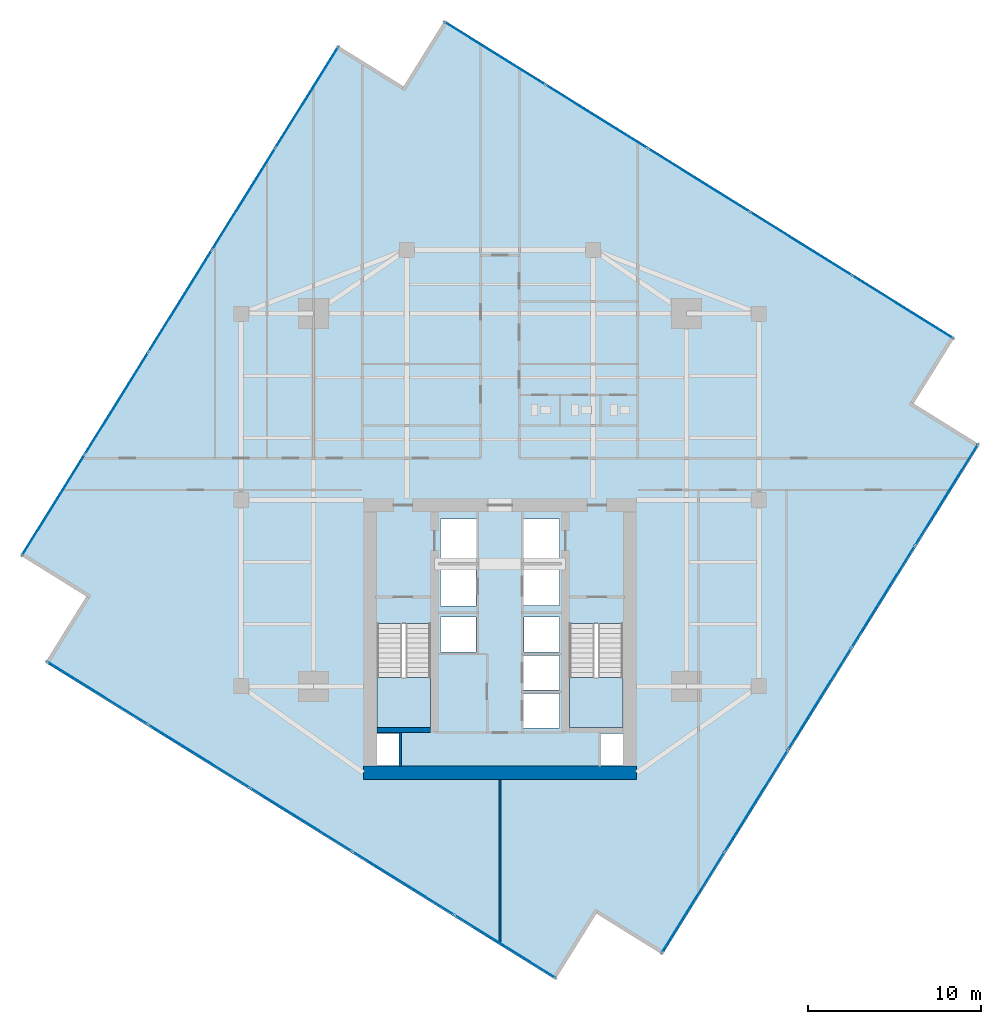
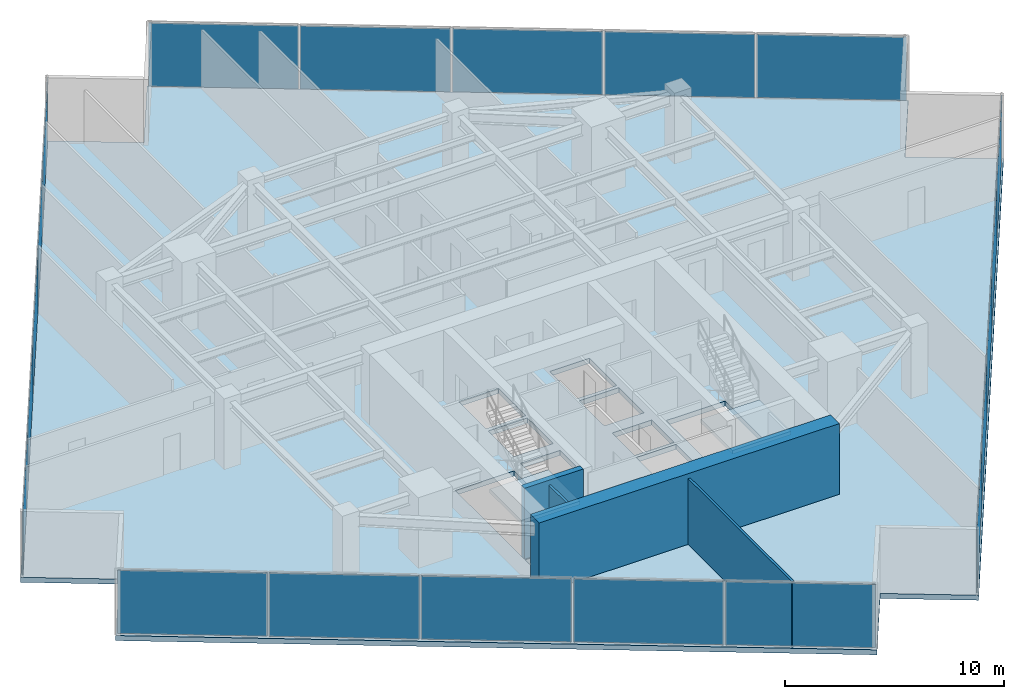
# One storey, part 20 of 25: 20 plates, 4 walls, 3 slabs, 6 elements without a shape of their own.
"""IFC4 building model written with IfcOpenShell, lengths in metres."""

from ifc_helpers import new_model, si_unit, direction, frame, frame_2d, origin, origin_2d, place, context, subcontext, project, spatial, polyline, rectangle, outline, extrude, source, transform, mapped, material, layer, layer_set, type_object, type_shapes, element, aggregate, save


model = new_model("IFC4")

# Units and contexts
model_context = context("Model", 3, precision=1e-05, world=origin(), true_north=direction((0.0, 1.0)))
body_context = subcontext(model_context, "Body", "Model", "MODEL_VIEW")
ifc_project = project(units=[si_unit("LENGTHUNIT", "METRE"), si_unit("AREAUNIT", "SQUARE_METRE"), si_unit("VOLUMEUNIT", "CUBIC_METRE"), si_unit("PLANEANGLEUNIT", "RADIAN"), si_unit("MASSUNIT", "GRAM", prefix="KILO")], contexts=[model_context])

# Site, building, storey
site_placement = place(None, origin())
site = spatial("IfcSite", under=ifc_project, at=site_placement, CompositionType="ELEMENT")
building_placement = place(site_placement, origin())
building = spatial("IfcBuilding", under=site, at=building_placement, Name="Krantzveldt Concourse Tower", CompositionType="ELEMENT")
storey_placement = place(building_placement, frame((0.0, 0.0, 177.800048828125)))
storey = spatial("IfcBuildingStorey", under=building, at=storey_placement, Name="L43", CompositionType="ELEMENT", Elevation=177.800048828125)

# Stair, slab
ifc_material_1 = material(Name="Precast concrete C40/50", Category="concrete")
stair_type = type_object("IfcStairType", Name="STR-CORE-DOGLEG", PredefinedType="HALF_TURN_STAIR", material=ifc_material_1)
stair_1_placement = place(storey_placement, origin())
stair_1 = element("IfcStair", 1, at=stair_1_placement, inside=storey, type_object=stair_type, Name="L43 Protected Escape Stair ST-1", PredefinedType="HALF_TURN_STAIR")
ifc_layer_1 = layer(ifc_material_1, 0.199951171875, Name="Precast concrete C40/50", Category="concrete")
ifc_layer_set_1 = layer_set([ifc_layer_1], Name="Precast concrete C40/50 (SL-LANDING-200)")
slab_type_1 = type_object("IfcSlabType", Name="SL-LANDING-200", PredefinedType="LANDING", material=ifc_layer_set_1)
slab_1_placement = place(storey_placement, frame((0.0, 0.0, 1.77490234375)))
slab_1 = element("IfcSlab", 2, at=slab_1_placement, type_object=slab_type_1, Name="ST-1 landing 1", PredefinedType="LANDING", context=body_context, shape_type="SweptSolid", body=[
    extrude(outline(polyline([(28.8798828125, 16.4150390625), (28.8798828125, 13.52001953125), (31.97998046875, 13.52001953125), (31.97998046875, 16.4150390625), (28.8798828125, 16.4150390625)])), origin(), (0.0, 0.0, 1.0), 0.199951171875),
])
aggregate(stair_1, [slab_1])

stair_2_placement = place(storey_placement, origin())
stair_2 = element("IfcStair", 3, at=stair_2_placement, inside=storey, type_object=stair_type, Name="L43 Protected Escape Stair ST-2", PredefinedType="HALF_TURN_STAIR")
slab_2_placement = place(storey_placement, frame((0.0, 0.0, 1.77490234375)))
slab_2 = element("IfcSlab", 4, at=slab_2_placement, type_object=slab_type_1, Name="ST-2 landing 1", PredefinedType="LANDING", context=body_context, shape_type="SweptSolid", body=[
    extrude(outline(polyline([(40.02001953125, 16.4150390625), (40.02001953125, 13.52001953125), (43.1201171875, 13.52001953125), (43.1201171875, 16.4150390625), (40.02001953125, 16.4150390625)])), origin(), (0.0, 0.0, 1.0), 0.199951171875),
])
aggregate(stair_2, [slab_2])

# Slab
ifc_material_2 = material(Name="Concrete C40/50", Category="concrete")
ifc_layer_2 = layer(ifc_material_2, 0.280029296875, Name="Concrete C40/50", Category="concrete")
ifc_layer_set_2 = layer_set([ifc_layer_2], Name="Concrete C40/50 (SL-SL-TWR280)")
slab_type_2 = type_object("IfcSlabType", Name="SL-SL-TWR280", PredefinedType="FLOOR", material=ifc_layer_set_2)
slab_3_placement = place(storey_placement, frame((0.0, 0.0, -0.280029296875)))
element("IfcSlab", 5, at=slab_3_placement, inside=storey, type_object=slab_type_2, Name="SL-L43-MAIN", PredefinedType="FLOOR", context=body_context, shape_type="SweptSolid", body=[
    extrude(outline(polyline([(30.412353515625, 50.66455078125), (26.5908203125, 53.040771484375), (8.214111328125, 23.488525390625), (12.035400390625, 21.1123046875), (9.6591796875, 17.290771484375), (39.21142578125, -1.0859375), (41.587646484375, 2.735595703125), (45.4091796875, 0.359130859375), (63.785888671875, 29.911376953125), (59.964599609375, 32.287841796875), (62.3408203125, 36.109130859375), (32.78857421875, 54.48583984375), (30.412353515625, 50.66455078125)]), holes=[polyline([(28.8798828125, 19.547607421875), (28.8798828125, 13.52001953125), (31.97998046875, 13.52001953125), (31.97998046875, 19.547607421875), (28.8798828125, 19.547607421875)]), polyline([(40.02001953125, 19.547607421875), (40.02001953125, 13.52001953125), (43.1201171875, 13.52001953125), (43.1201171875, 19.547607421875), (40.02001953125, 19.547607421875)]), polyline([(32.550048828125, 23.10009765625), (34.64990234375, 23.10009765625), (34.64990234375, 25.60009765625), (32.550048828125, 25.60009765625), (32.550048828125, 23.10009765625)]), polyline([(37.35009765625, 23.10009765625), (39.449951171875, 23.10009765625), (39.449951171875, 25.60009765625), (37.35009765625, 25.60009765625), (37.35009765625, 23.10009765625)]), polyline([(37.35009765625, 20.60009765625), (39.449951171875, 20.60009765625), (39.449951171875, 22.89990234375), (37.35009765625, 22.89990234375), (37.35009765625, 20.60009765625)]), polyline([(37.35009765625, 13.47998046875), (39.449951171875, 13.47998046875), (39.449951171875, 15.47998046875), (37.35009765625, 15.47998046875), (37.35009765625, 13.47998046875)]), polyline([(37.35009765625, 15.679931640625), (39.449951171875, 15.679931640625), (39.449951171875, 17.679931640625), (37.35009765625, 17.679931640625), (37.35009765625, 15.679931640625)]), polyline([(32.550048828125, 20.550048828125), (34.6201171875, 20.550048828125), (34.6201171875, 22.89990234375), (32.550048828125, 22.89990234375), (32.550048828125, 20.550048828125)]), polyline([(32.550048828125, 17.8798828125), (34.6201171875, 17.8798828125), (34.6201171875, 19.919921875), (32.550048828125, 19.919921875), (32.550048828125, 17.8798828125)]), polyline([(37.3798828125, 17.8798828125), (39.449951171875, 17.8798828125), (39.449951171875, 19.919921875), (37.3798828125, 19.919921875), (37.3798828125, 17.8798828125)]), polyline([(28.8798828125, 11.320068359375), (30.139892578125, 11.320068359375), (30.139892578125, 13.159912109375), (28.8798828125, 13.159912109375), (28.8798828125, 11.320068359375)]), polyline([(41.860107421875, 11.320068359375), (43.1201171875, 11.320068359375), (43.1201171875, 13.159912109375), (41.860107421875, 13.159912109375), (41.860107421875, 11.320068359375)])]), origin(), (0.0, 0.0, 1.0), 0.280029296875),
])

# Curtain wall, plates
ifc_material_3 = material(Name="Anodised aluminium 6063-T6", Category="aluminium")
curtain_wall_type = type_object("IfcCurtainWallType", Name="CW3", PredefinedType="USERDEFINED", material=ifc_material_3)
curtain_wall_1_placement = place(storey_placement, origin())
curtain_wall_1 = element("IfcCurtainWall", 6, at=curtain_wall_1_placement, inside=storey, type_object=curtain_wall_type, Name="CW-L43-F01", ObjectType="UNITISED CURTAIN WALL", PredefinedType="USERDEFINED")
ifc_material_4 = material(Name="Bronze-tinted laminated low-E IGU glass", Category="glass")
ifc_layer_3 = layer(ifc_material_4, 0.031982421875, Name="Bronze-tinted laminated low-E IGU glass", Category="glass")
ifc_layer_set_3 = layer_set([ifc_layer_3], Name="Bronze-tinted laminated low-E IGU glass (CW-GLZ-32)")
plate_type = type_object("IfcPlateType", Name="CW-GLZ-32", PredefinedType="CURTAIN_PANEL", material=ifc_layer_set_3)
shared_shape_1 = source(origin(), body_context, "Body", "SweptSolid", [
    extrude(rectangle(XDim=6.85498046875, YDim=0.031982421875, at=origin_2d()), origin(), (0.0, 0.0, 1.0), 3.530029296875),
])
plate_1_placement = place(storey_placement, frame((24.8203125, 50.023193359375, 0.06982421875), z_axis=(0.0, 0.0, 1.0), x_axis=(-0.528067901977, -0.84920214961, 0.0)))
plate_1 = element("IfcPlate", 7, at=plate_1_placement, type_object=plate_type, Name="CW-Z34 panel 1.1", PredefinedType="CURTAIN_PANEL", context=body_context, shape_type="MappedRepresentation", body=[
    mapped(shared_shape_1, transform((0.0, 0.0, 0.0), x_axis=(1.0, 0.0, 0.0), y_axis=(0.0, 1.0, 0.0), z_axis=(0.0, 0.0, 1.0), scale=1.0)),
])
plate_2_placement = place(storey_placement, frame((10.137451171875, 26.4111328125, 0.06982421875), z_axis=(0.0, 0.0, 1.0), x_axis=(-0.528067901977, -0.84920214961, 0.0)))
plate_2 = element("IfcPlate", 8, at=plate_2_placement, type_object=plate_type, Name="CW-Z34 panel 5.1", PredefinedType="CURTAIN_PANEL", context=body_context, shape_type="MappedRepresentation", body=[
    mapped(shared_shape_1, transform((0.0, 0.0, 0.0), x_axis=(1.0, 0.0, 0.0), y_axis=(0.0, 1.0, 0.0), z_axis=(0.0, 0.0, 1.0), scale=1.0)),
])

curtain_wall_2_placement = place(storey_placement, origin())
curtain_wall_2 = element("IfcCurtainWall", 9, at=curtain_wall_2_placement, inside=storey, type_object=curtain_wall_type, Name="CW-L43-F04", ObjectType="UNITISED CURTAIN WALL", PredefinedType="USERDEFINED")
plate_3_placement = place(storey_placement, frame((12.6767578125, 15.520263671875, 0.06982421875), z_axis=(0.0, 0.0, 1.0), x_axis=(0.84920214961, -0.528067901977, 0.0)))
plate_3 = element("IfcPlate", 10, at=plate_3_placement, type_object=plate_type, Name="CW-Z34 panel 1.1", PredefinedType="CURTAIN_PANEL", context=body_context, shape_type="MappedRepresentation", body=[
    mapped(shared_shape_1, transform((0.0, 0.0, 0.0), x_axis=(1.0, 0.0, 0.0), y_axis=(0.0, 1.0, 0.0), z_axis=(0.0, 0.0, 1.0), scale=1.0)),
])
plate_4_placement = place(storey_placement, frame((36.288818359375, 0.83740234375, 0.06982421875), z_axis=(0.0, 0.0, 1.0), x_axis=(0.84920214961, -0.528067901977, 0.0)))
plate_4 = element("IfcPlate", 11, at=plate_4_placement, type_object=plate_type, Name="CW-Z34 panel 5.1", PredefinedType="CURTAIN_PANEL", context=body_context, shape_type="MappedRepresentation", body=[
    mapped(shared_shape_1, transform((0.0, 0.0, 0.0), x_axis=(1.0, 0.0, 0.0), y_axis=(0.0, 1.0, 0.0), z_axis=(0.0, 0.0, 1.0), scale=1.0)),
])

curtain_wall_3_placement = place(storey_placement, origin())
curtain_wall_3 = element("IfcCurtainWall", 12, at=curtain_wall_3_placement, inside=storey, type_object=curtain_wall_type, Name="CW-L43-F07", ObjectType="UNITISED CURTAIN WALL", PredefinedType="USERDEFINED")
plate_5_placement = place(storey_placement, frame((47.1796875, 3.376708984375, 0.06982421875), z_axis=(0.0, 0.0, 1.0), x_axis=(0.528067901977, 0.84920214961, 0.0)))
plate_5 = element("IfcPlate", 13, at=plate_5_placement, type_object=plate_type, Name="CW-Z34 panel 1.1", PredefinedType="CURTAIN_PANEL", context=body_context, shape_type="MappedRepresentation", body=[
    mapped(shared_shape_1, transform((0.0, 0.0, 0.0), x_axis=(1.0, 0.0, 0.0), y_axis=(0.0, 1.0, 0.0), z_axis=(0.0, 0.0, 1.0), scale=1.0)),
])
plate_6_placement = place(storey_placement, frame((61.862548828125, 26.98876953125, 0.06982421875), z_axis=(0.0, 0.0, 1.0), x_axis=(0.528067901977, 0.84920214961, 0.0)))
plate_6 = element("IfcPlate", 14, at=plate_6_placement, type_object=plate_type, Name="CW-Z34 panel 5.1", PredefinedType="CURTAIN_PANEL", context=body_context, shape_type="MappedRepresentation", body=[
    mapped(shared_shape_1, transform((0.0, 0.0, 0.0), x_axis=(1.0, 0.0, 0.0), y_axis=(0.0, 1.0, 0.0), z_axis=(0.0, 0.0, 1.0), scale=1.0)),
])

curtain_wall_4_placement = place(storey_placement, origin())
curtain_wall_4 = element("IfcCurtainWall", 15, at=curtain_wall_4_placement, inside=storey, type_object=curtain_wall_type, Name="CW-L43-F10", ObjectType="UNITISED CURTAIN WALL", PredefinedType="USERDEFINED")
plate_7_placement = place(storey_placement, frame((59.3232421875, 37.879638671875, 0.06982421875), z_axis=(0.0, 0.0, 1.0), x_axis=(-0.84920214961, 0.528067901977, 0.0)))
plate_7 = element("IfcPlate", 16, at=plate_7_placement, type_object=plate_type, Name="CW-Z34 panel 1.1", PredefinedType="CURTAIN_PANEL", context=body_context, shape_type="MappedRepresentation", body=[
    mapped(shared_shape_1, transform((0.0, 0.0, 0.0), x_axis=(1.0, 0.0, 0.0), y_axis=(0.0, 1.0, 0.0), z_axis=(0.0, 0.0, 1.0), scale=1.0)),
])
plate_8_placement = place(storey_placement, frame((35.711181640625, 52.5625, 0.06982421875), z_axis=(0.0, 0.0, 1.0), x_axis=(-0.84920214961, 0.528067901977, 0.0)))
plate_8 = element("IfcPlate", 17, at=plate_8_placement, type_object=plate_type, Name="CW-Z34 panel 5.1", PredefinedType="CURTAIN_PANEL", context=body_context, shape_type="MappedRepresentation", body=[
    mapped(shared_shape_1, transform((0.0, 0.0, 0.0), x_axis=(1.0, 0.0, 0.0), y_axis=(0.0, 1.0, 0.0), z_axis=(0.0, 0.0, 1.0), scale=1.0)),
])

# Plate
shared_shape_2 = source(origin(), body_context, "Body", "SweptSolid", [
    extrude(rectangle(XDim=6.889892578125, YDim=0.031982421875, at=origin_2d()), origin(), (0.0, 0.0, 1.0), 3.530029296875),
])
type_shapes(plate_type, [shared_shape_1, shared_shape_2])
plate_9_placement = place(storey_placement, frame((21.154296875, 44.127685546875, 0.06982421875), z_axis=(0.0, 0.0, 1.0), x_axis=(-0.528067901977, -0.84920214961, 0.0)))
plate_9 = element("IfcPlate", 18, at=plate_9_placement, type_object=plate_type, Name="CW-Z34 panel 2.1", PredefinedType="CURTAIN_PANEL", context=body_context, shape_type="MappedRepresentation", body=[
    mapped(shared_shape_2, transform((0.0, 0.0, 0.0), x_axis=(1.0, 0.0, 0.0), y_axis=(0.0, 1.0, 0.0), z_axis=(0.0, 0.0, 1.0), scale=1.0)),
])

plate_10_placement = place(storey_placement, frame((17.47900390625, 38.217041015625, 0.06982421875), z_axis=(0.0, 0.0, 1.0), x_axis=(-0.528067901977, -0.84920214961, 0.0)))
plate_10 = element("IfcPlate", 19, at=plate_10_placement, type_object=plate_type, Name="CW-Z34 panel 3.1", PredefinedType="CURTAIN_PANEL", context=body_context, shape_type="MappedRepresentation", body=[
    mapped(shared_shape_2, transform((0.0, 0.0, 0.0), x_axis=(1.0, 0.0, 0.0), y_axis=(0.0, 1.0, 0.0), z_axis=(0.0, 0.0, 1.0), scale=1.0)),
])

plate_11_placement = place(storey_placement, frame((13.803466796875, 32.306640625, 0.06982421875), z_axis=(0.0, 0.0, 1.0), x_axis=(-0.528067901977, -0.84920214961, 0.0)))
plate_11 = element("IfcPlate", 20, at=plate_11_placement, type_object=plate_type, Name="CW-Z34 panel 4.1", PredefinedType="CURTAIN_PANEL", context=body_context, shape_type="MappedRepresentation", body=[
    mapped(shared_shape_2, transform((0.0, 0.0, 0.0), x_axis=(1.0, 0.0, 0.0), y_axis=(0.0, 1.0, 0.0), z_axis=(0.0, 0.0, 1.0), scale=1.0)),
])

aggregate(curtain_wall_1, [plate_1, plate_9, plate_10, plate_11, plate_2])

plate_12_placement = place(storey_placement, frame((18.572509765625, 11.854248046875, 0.06982421875), z_axis=(0.0, 0.0, 1.0), x_axis=(0.84920214961, -0.528067901977, 0.0)))
plate_12 = element("IfcPlate", 21, at=plate_12_placement, type_object=plate_type, Name="CW-Z34 panel 2.1", PredefinedType="CURTAIN_PANEL", context=body_context, shape_type="MappedRepresentation", body=[
    mapped(shared_shape_2, transform((0.0, 0.0, 0.0), x_axis=(1.0, 0.0, 0.0), y_axis=(0.0, 1.0, 0.0), z_axis=(0.0, 0.0, 1.0), scale=1.0)),
])

plate_13_placement = place(storey_placement, frame((24.48291015625, 8.178955078125, 0.06982421875), z_axis=(0.0, 0.0, 1.0), x_axis=(0.84920214961, -0.528067901977, 0.0)))
plate_13 = element("IfcPlate", 22, at=plate_13_placement, type_object=plate_type, Name="CW-Z34 panel 3.1", PredefinedType="CURTAIN_PANEL", context=body_context, shape_type="MappedRepresentation", body=[
    mapped(shared_shape_2, transform((0.0, 0.0, 0.0), x_axis=(1.0, 0.0, 0.0), y_axis=(0.0, 1.0, 0.0), z_axis=(0.0, 0.0, 1.0), scale=1.0)),
])

plate_14_placement = place(storey_placement, frame((30.393310546875, 4.503662109375, 0.06982421875), z_axis=(0.0, 0.0, 1.0), x_axis=(0.84920214961, -0.528067901977, 0.0)))
plate_14 = element("IfcPlate", 23, at=plate_14_placement, type_object=plate_type, Name="CW-Z34 panel 4.1", PredefinedType="CURTAIN_PANEL", context=body_context, shape_type="MappedRepresentation", body=[
    mapped(shared_shape_2, transform((0.0, 0.0, 0.0), x_axis=(1.0, 0.0, 0.0), y_axis=(0.0, 1.0, 0.0), z_axis=(0.0, 0.0, 1.0), scale=1.0)),
])

aggregate(curtain_wall_2, [plate_3, plate_12, plate_13, plate_14, plate_4])

plate_15_placement = place(storey_placement, frame((50.845703125, 9.2724609375, 0.06982421875), z_axis=(0.0, 0.0, 1.0), x_axis=(0.528067901977, 0.84920214961, 0.0)))
plate_15 = element("IfcPlate", 24, at=plate_15_placement, type_object=plate_type, Name="CW-Z34 panel 2.1", PredefinedType="CURTAIN_PANEL", context=body_context, shape_type="MappedRepresentation", body=[
    mapped(shared_shape_2, transform((0.0, 0.0, 0.0), x_axis=(1.0, 0.0, 0.0), y_axis=(0.0, 1.0, 0.0), z_axis=(0.0, 0.0, 1.0), scale=1.0)),
])

plate_16_placement = place(storey_placement, frame((54.52099609375, 15.182861328125, 0.06982421875), z_axis=(0.0, 0.0, 1.0), x_axis=(0.528067901977, 0.84920214961, 0.0)))
plate_16 = element("IfcPlate", 25, at=plate_16_placement, type_object=plate_type, Name="CW-Z34 panel 3.1", PredefinedType="CURTAIN_PANEL", context=body_context, shape_type="MappedRepresentation", body=[
    mapped(shared_shape_2, transform((0.0, 0.0, 0.0), x_axis=(1.0, 0.0, 0.0), y_axis=(0.0, 1.0, 0.0), z_axis=(0.0, 0.0, 1.0), scale=1.0)),
])

plate_17_placement = place(storey_placement, frame((58.196533203125, 21.09326171875, 0.06982421875), z_axis=(0.0, 0.0, 1.0), x_axis=(0.528067901977, 0.84920214961, 0.0)))
plate_17 = element("IfcPlate", 26, at=plate_17_placement, type_object=plate_type, Name="CW-Z34 panel 4.1", PredefinedType="CURTAIN_PANEL", context=body_context, shape_type="MappedRepresentation", body=[
    mapped(shared_shape_2, transform((0.0, 0.0, 0.0), x_axis=(1.0, 0.0, 0.0), y_axis=(0.0, 1.0, 0.0), z_axis=(0.0, 0.0, 1.0), scale=1.0)),
])

aggregate(curtain_wall_3, [plate_5, plate_15, plate_16, plate_17, plate_6])

plate_18_placement = place(storey_placement, frame((53.427490234375, 41.545654296875, 0.06982421875), z_axis=(0.0, 0.0, 1.0), x_axis=(-0.84920214961, 0.528067901977, 0.0)))
plate_18 = element("IfcPlate", 27, at=plate_18_placement, type_object=plate_type, Name="CW-Z34 panel 2.1", PredefinedType="CURTAIN_PANEL", context=body_context, shape_type="MappedRepresentation", body=[
    mapped(shared_shape_2, transform((0.0, 0.0, 0.0), x_axis=(1.0, 0.0, 0.0), y_axis=(0.0, 1.0, 0.0), z_axis=(0.0, 0.0, 1.0), scale=1.0)),
])

plate_19_placement = place(storey_placement, frame((47.51708984375, 45.22119140625, 0.06982421875), z_axis=(0.0, 0.0, 1.0), x_axis=(-0.84920214961, 0.528067901977, 0.0)))
plate_19 = element("IfcPlate", 28, at=plate_19_placement, type_object=plate_type, Name="CW-Z34 panel 3.1", PredefinedType="CURTAIN_PANEL", context=body_context, shape_type="MappedRepresentation", body=[
    mapped(shared_shape_2, transform((0.0, 0.0, 0.0), x_axis=(1.0, 0.0, 0.0), y_axis=(0.0, 1.0, 0.0), z_axis=(0.0, 0.0, 1.0), scale=1.0)),
])

plate_20_placement = place(storey_placement, frame((41.606689453125, 48.896484375, 0.06982421875), z_axis=(0.0, 0.0, 1.0), x_axis=(-0.84920214961, 0.528067901977, 0.0)))
plate_20 = element("IfcPlate", 29, at=plate_20_placement, type_object=plate_type, Name="CW-Z34 panel 4.1", PredefinedType="CURTAIN_PANEL", context=body_context, shape_type="MappedRepresentation", body=[
    mapped(shared_shape_2, transform((0.0, 0.0, 0.0), x_axis=(1.0, 0.0, 0.0), y_axis=(0.0, 1.0, 0.0), z_axis=(0.0, 0.0, 1.0), scale=1.0)),
])

aggregate(curtain_wall_4, [plate_7, plate_18, plate_19, plate_20, plate_8])

# Walls
ifc_material_5 = material(Name="Fire-rated gypsum plasterboard on steel stud", Category="steel")
ifc_layer_4 = layer(ifc_material_5, 0.1201171875, Name="Fire-rated gypsum plasterboard on steel stud", Category="steel")
ifc_layer_set_4 = layer_set([ifc_layer_4], Name="Fire-rated gypsum plasterboard on steel stud (WL-PART-120)")
wall_type_1 = type_object("IfcWallType", Name="WL-PART-120", PredefinedType="PARTITIONING", material=ifc_layer_set_4)
wall_1_placement = place(storey_placement, frame((36.0, 1.01708984375, 0.0), z_axis=(0.0, 0.0, 1.0), x_axis=(0.0, 1.0, 0.0)))
element("IfcWall", 30, at=wall_1_placement, inside=storey, type_object=wall_type_1, Name="WP-L43-SMID", PredefinedType="PARTITIONING", context=body_context, shape_type="SweptSolid", body=[
    extrude(rectangle(XDim=9.48291015625, YDim=0.1201171875, at=frame_2d((4.741455078125, 0.0))), origin(), (0.0, 0.0, 1.0), 3.669921875),
])
ifc_layer_5 = layer(ifc_material_5, 0.139892578125, Name="Fire-rated gypsum plasterboard on steel stud", Category="steel")
ifc_layer_set_5 = layer_set([ifc_layer_5], Name="Fire-rated gypsum plasterboard on steel stud (WL-PART-FR140)")
wall_type_2 = type_object("IfcWallType", Name="WL-PART-FR140", PredefinedType="PARTITIONING", material=ifc_layer_set_5)
wall_2_placement = place(storey_placement, frame((30.219970703125, 11.25, 0.0), z_axis=(0.0, 0.0, 1.0), x_axis=(0.0, 1.0, 0.0)))
element("IfcWall", 31, at=wall_2_placement, inside=storey, type_object=wall_type_2, Name="WP-L43-RSW", PredefinedType="PARTITIONING", context=body_context, shape_type="SweptSolid", body=[
    extrude(rectangle(XDim=1.969970703125, YDim=0.1201171875, at=frame_2d((0.98486328125, 0.0))), origin(), (0.0, 0.0, 1.0), 3.669921875),
])
ifc_material_6 = material(Name="Concrete C50/60", Category="concrete")
ifc_layer_6 = layer(ifc_material_6, 0.300048828125, Name="Concrete C50/60", Category="concrete")
ifc_layer_set_6 = layer_set([ifc_layer_6], Name="Concrete C50/60 (WL-SHEAR-300)")
wall_type_3 = type_object("IfcWallType", Name="WL-SHEAR-300", PredefinedType="SHEAR", material=ifc_layer_set_6)
wall_3_placement = place(storey_placement, frame((28.8798828125, 13.3701171875, 0.0), z_axis=(0.0, 0.0, 1.0), x_axis=(1.0, 0.0, 0.0)))
element("IfcWall", 32, at=wall_3_placement, inside=storey, type_object=wall_type_3, Name="CW-L43-ST1S", PredefinedType="SHEAR", context=body_context, shape_type="SweptSolid", body=[
    extrude(rectangle(XDim=3.10009765625, YDim=0.300048828125, at=frame_2d((1.550048828125, 0.0))), origin(), (0.0, 0.0, 1.0), 3.949951171875),
])
ifc_material_7 = material(Name="Concrete C60/75", Category="concrete")
ifc_layer_7 = layer(ifc_material_7, 0.800048828125, Name="Concrete C60/75", Category="concrete")
ifc_layer_set_7 = layer_set([ifc_layer_7], Name="Concrete C60/75 (WL-SHEAR-800)")
wall_type_4 = type_object("IfcWallType", Name="WL-SHEAR-800", PredefinedType="SHEAR", material=ifc_layer_set_7)
wall_4_placement = place(storey_placement, frame((28.080078125, 10.89990234375, 0.0), z_axis=(0.0, 0.0, 1.0), x_axis=(1.0, 0.0, 0.0)))
element("IfcWall", 33, at=wall_4_placement, inside=storey, type_object=wall_type_4, Name="CW-L43-S", PredefinedType="SHEAR", context=body_context, shape_type="SweptSolid", body=[
    extrude(rectangle(XDim=15.83984375, YDim=0.800048828125, at=frame_2d((7.919921875, 0.0))), origin(), (0.0, 0.0, 1.0), 3.949951171875),
])

save(model, "model.ifc")
